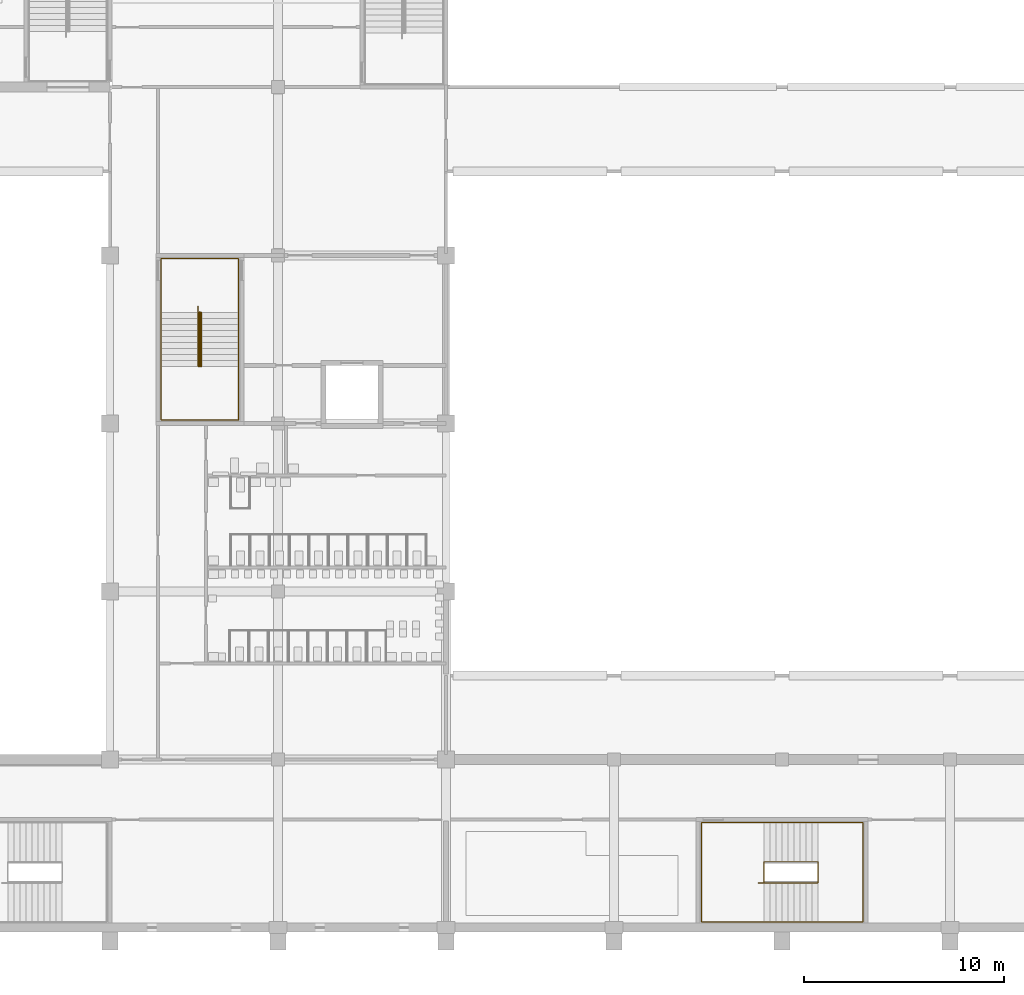
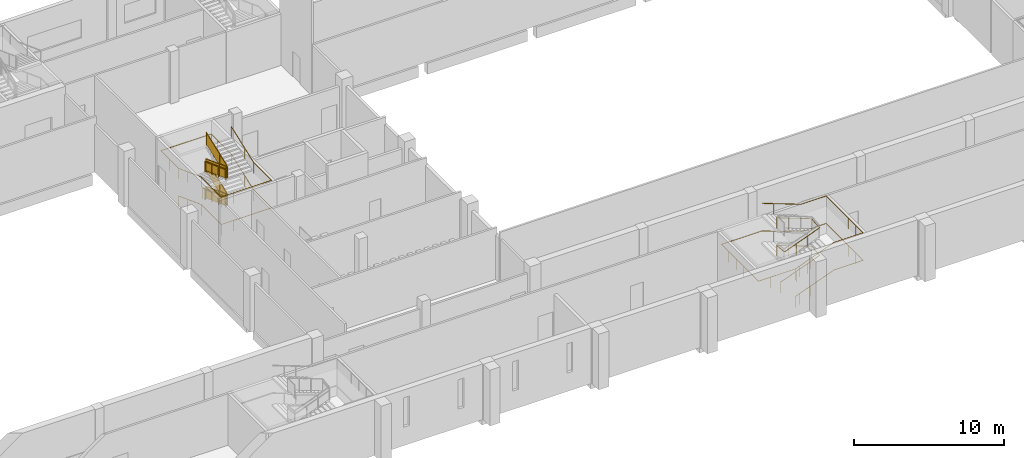
# One storey, part 52 of 64: 8 railings.
"""IFC4 building model written with IfcOpenShell, lengths in metres."""

from ifc_helpers import new_model, si_unit, direction, frame, origin, origin_2d, place, context, subcontext, project, spatial, polyline, circle, outline, extrude, material, type_object, element, save


model = new_model("IFC4")

# Units and contexts
model_context = context("Model", 3, precision=1e-05, world=origin(), true_north=direction((0.0, 1.0)))
body_context = subcontext(model_context, "Body", "Model", "MODEL_VIEW")
ifc_project = project(units=[si_unit("LENGTHUNIT", "METRE"), si_unit("AREAUNIT", "SQUARE_METRE"), si_unit("VOLUMEUNIT", "CUBIC_METRE"), si_unit("PLANEANGLEUNIT", "RADIAN"), si_unit("MASSUNIT", "GRAM", prefix="KILO")], contexts=[model_context])

# Site, building, storey
site_placement = place(None, origin())
site = spatial("IfcSite", under=ifc_project, at=site_placement, CompositionType="ELEMENT")
building_placement = place(site_placement, origin())
building = spatial("IfcBuilding", under=site, at=building_placement, Name="Rulbaag Community and Learning Centre", CompositionType="ELEMENT")
storey_placement = place(building_placement, frame((0.0, 0.0, 5.39990234375)))
storey = spatial("IfcBuildingStorey", under=building, at=storey_placement, Name="L01", CompositionType="ELEMENT", Elevation=5.39990234375)

# Railings
ifc_material_1 = material(Name="Galvanised mild steel", Category="steel")
railing_type_1 = type_object("IfcRailingType", Name="GR-1100 GUARD 1100", PredefinedType="GUARDRAIL", material=ifc_material_1)
railing_1_placement = place(storey_placement, frame((29.679931640625, 30.75, 0.112548828125)))
element("IfcRailing", 1, at=railing_1_placement, inside=storey, type_object=railing_type_1, Name="Guard SH1 L01 G", PredefinedType="GUARDRAIL", context=body_context, shape_type="SweptSolid", body=[
    extrude(circle(Radius=0.02490234375, at=origin_2d()), frame((0.0, 0.0, 1.0751953125), z_axis=(0.0, -0.93633265699, 0.351114162993), x_axis=(1.0, 0.0, 0.0)), (0.0, 0.0, 1.0), 2.883544921875),
    extrude(circle(Radius=0.02001953125, at=origin_2d()), origin(), (0.0, 0.0, 1.0), 1.050048828125),
    extrude(circle(Radius=0.02001953125, at=origin_2d()), frame((0.0, -0.89990234375, 0.33740234375)), (0.0, 0.0, 1.0), 1.050048828125),
    extrude(circle(Radius=0.02001953125, at=origin_2d()), frame((0.0, -1.800048828125, 0.675048828125)), (0.0, 0.0, 1.0), 1.050048828125),
    extrude(circle(Radius=0.02001953125, at=origin_2d()), frame((0.0, -2.699951171875, 1.012451171875)), (0.0, 0.0, 1.0), 1.050048828125),
    extrude(outline(polyline([(0.0, 0.0), (2.699951171875, 1.012451171875), (2.699951171875, 1.96240234375), (0.0, 0.949951171875), (0.0, 0.0)])), frame((0.0048828125, 0.0, 0.10009765625), z_axis=(-1.0, 0.0, 0.0), x_axis=(0.0, -1.0, 0.0)), (0.0, 0.0, 1.0), 0.010009765625),
])
railing_2_placement = place(storey_placement, frame((29.719970703125, 28.050048828125, 1.237548828125)))
element("IfcRailing", 2, at=railing_2_placement, inside=storey, type_object=railing_type_1, Name="Guard SH1 L01 G2", PredefinedType="GUARDRAIL", context=body_context, shape_type="SweptSolid", body=[
    extrude(circle(Radius=0.02490234375, at=origin_2d()), frame((0.0, 0.0, 1.0751953125), z_axis=(0.0, 0.93633265699, 0.351114162993), x_axis=(-1.0, 0.0, 0.0)), (0.0, 0.0, 1.0), 2.883544921875),
    extrude(circle(Radius=0.02001953125, at=origin_2d()), origin(), (0.0, 0.0, 1.0), 1.050048828125),
    extrude(circle(Radius=0.02001953125, at=origin_2d()), frame((0.0, 0.89990234375, 0.33740234375)), (0.0, 0.0, 1.0), 1.050048828125),
    extrude(circle(Radius=0.02001953125, at=origin_2d()), frame((0.0, 1.800048828125, 0.675048828125)), (0.0, 0.0, 1.0), 1.050048828125),
    extrude(circle(Radius=0.02001953125, at=origin_2d()), frame((0.0, 2.699951171875, 1.012451171875)), (0.0, 0.0, 1.0), 1.050048828125),
    extrude(outline(polyline([(0.0, 0.0), (2.699951171875, 1.012451171875), (2.699951171875, 1.96240234375), (0.0, 0.949951171875), (0.0, 0.0)])), frame((-0.0048828125, 0.0, 0.10009765625), z_axis=(1.0, 0.0, 0.0), x_axis=(0.0, 1.0, 0.0)), (0.0, 0.0, 1.0), 0.010009765625),
])
railing_3_placement = place(storey_placement, frame((29.679931640625, 30.75, 2.362548828125)))
element("IfcRailing", 3, at=railing_3_placement, inside=storey, type_object=railing_type_1, Name="Guard SH1 L01 G3", PredefinedType="GUARDRAIL", context=body_context, shape_type="SweptSolid", body=[
    extrude(circle(Radius=0.02490234375, at=origin_2d()), frame((0.0, 0.0, 1.0751953125), z_axis=(0.0, -0.93633265699, 0.351114162993), x_axis=(1.0, 0.0, 0.0)), (0.0, 0.0, 1.0), 2.883544921875),
    extrude(circle(Radius=0.02001953125, at=origin_2d()), origin(), (0.0, 0.0, 1.0), 1.050048828125),
    extrude(circle(Radius=0.02001953125, at=origin_2d()), frame((0.0, -0.89990234375, 0.33740234375)), (0.0, 0.0, 1.0), 1.050048828125),
    extrude(circle(Radius=0.02001953125, at=origin_2d()), frame((0.0, -1.800048828125, 0.675048828125)), (0.0, 0.0, 1.0), 1.050048828125),
    extrude(circle(Radius=0.02001953125, at=origin_2d()), frame((0.0, -2.699951171875, 1.012451171875)), (0.0, 0.0, 1.0), 1.050048828125),
    extrude(outline(polyline([(0.0, 0.0), (2.699951171875, 1.012451171875), (2.699951171875, 1.96240234375), (0.0, 0.949951171875), (0.0, 0.0)])), frame((0.0048828125, 0.0, 0.10009765625), z_axis=(-1.0, 0.0, 0.0), x_axis=(0.0, -1.0, 0.0)), (0.0, 0.0, 1.0), 0.010009765625),
])
railing_4_placement = place(storey_placement, frame((29.719970703125, 28.050048828125, 3.487548828125)))
element("IfcRailing", 4, at=railing_4_placement, inside=storey, type_object=railing_type_1, Name="Guard SH1 L01 G4", PredefinedType="GUARDRAIL", context=body_context, shape_type="SweptSolid", body=[
    extrude(circle(Radius=0.02490234375, at=origin_2d()), frame((0.0, 0.0, 1.0751953125), z_axis=(0.0, 0.93633265699, 0.351114162993), x_axis=(-1.0, 0.0, 0.0)), (0.0, 0.0, 1.0), 2.883544921875),
    extrude(circle(Radius=0.02001953125, at=origin_2d()), origin(), (0.0, 0.0, 1.0), 1.050048828125),
    extrude(circle(Radius=0.02001953125, at=origin_2d()), frame((0.0, 0.89990234375, 0.33740234375)), (0.0, 0.0, 1.0), 1.050048828125),
    extrude(circle(Radius=0.02001953125, at=origin_2d()), frame((0.0, 1.800048828125, 0.675048828125)), (0.0, 0.0, 1.0), 1.050048828125),
    extrude(circle(Radius=0.02001953125, at=origin_2d()), frame((0.0, 2.699951171875, 1.012451171875)), (0.0, 0.0, 1.0), 1.050048828125),
    extrude(outline(polyline([(0.0, 0.0), (2.699951171875, 1.012451171875), (2.699951171875, 1.96240234375), (0.0, 0.949951171875), (0.0, 0.0)])), frame((-0.0048828125, 0.0, 0.10009765625), z_axis=(1.0, 0.0, 0.0), x_axis=(0.0, 1.0, 0.0)), (0.0, 0.0, 1.0), 0.010009765625),
])
ifc_material_2 = material(Name="Stainless steel grade 316", Category="steel")
railing_type_2 = type_object("IfcRailingType", Name="HR-900 HANDRAIL 900", PredefinedType="HANDRAIL", material=ifc_material_2)
railing_5_placement = place(storey_placement, frame((27.760009765625, 31.050048828125, 0.0)))
element("IfcRailing", 5, at=railing_5_placement, inside=storey, type_object=railing_type_2, Name="Handrail SH1 L01 O", PredefinedType="HANDRAIL", context=body_context, shape_type="SweptSolid", body=[
    extrude(circle(Radius=0.024169921875, at=origin_2d()), frame((0.0, 0.0, 0.875732421875), z_axis=(0.0, -0.936297865471, 0.351206929196), x_axis=(1.0, 0.0, 0.0)), (0.0, 0.0, 1.0), 0.320556640625),
    extrude(circle(Radius=0.024169921875, at=origin_2d()), frame((0.0, -0.300048828125, 0.98828125), z_axis=(0.0, -0.93633265699, 0.351114162993), x_axis=(1.0, 0.0, 0.0)), (0.0, 0.0, 1.0), 2.883544921875),
    extrude(circle(Radius=0.024169921875, at=origin_2d()), frame((0.0, -3.0, 2.000732421875), z_axis=(0.0, -1.0, 0.0), x_axis=(1.0, 0.0, 0.0)), (0.0, 0.0, 1.0), 2.68994140625),
    extrude(circle(Radius=0.024169921875, at=origin_2d()), frame((0.0, -5.68994140625, 2.000732421875), z_axis=(1.0, 0.0, 0.0), x_axis=(0.0, 1.0, 0.0)), (0.0, 0.0, 1.0), 3.8798828125),
    extrude(circle(Radius=0.024169921875, at=origin_2d()), frame((3.8798828125, -5.68994140625, 2.000732421875), z_axis=(0.0, 1.0, 0.0), x_axis=(-1.0, 0.0, 0.0)), (0.0, 0.0, 1.0), 2.389892578125),
    extrude(circle(Radius=0.024169921875, at=origin_2d()), frame((3.8798828125, -3.300048828125, 2.000732421875), z_axis=(0.0, 0.936297865471, 0.351206929196), x_axis=(-1.0, 0.0, 0.0)), (0.0, 0.0, 1.0), 0.320556640625),
    extrude(circle(Radius=0.024169921875, at=origin_2d()), frame((3.8798828125, -3.0, 2.11328125), z_axis=(0.0, 0.93633265699, 0.351114162993), x_axis=(-1.0, 0.0, 0.0)), (0.0, 0.0, 1.0), 2.883544921875),
    extrude(circle(Radius=0.024169921875, at=origin_2d()), frame((3.8798828125, -0.300048828125, 3.125732421875), z_axis=(0.0, 1.0, 0.0), x_axis=(-1.0, 0.0, 0.0)), (0.0, 0.0, 1.0), 2.68994140625),
    extrude(circle(Radius=0.024169921875, at=origin_2d()), frame((3.8798828125, 2.389892578125, 3.125732421875), z_axis=(-1.0, 0.0, 0.0), x_axis=(0.0, -1.0, 0.0)), (0.0, 0.0, 1.0), 3.8798828125),
    extrude(circle(Radius=0.024169921875, at=origin_2d()), frame((0.0, 2.389892578125, 3.125732421875), z_axis=(0.0, -1.0, 0.0), x_axis=(1.0, 0.0, 0.0)), (0.0, 0.0, 1.0), 2.389892578125),
    extrude(circle(Radius=0.024169921875, at=origin_2d()), frame((0.0, 0.0, 3.125732421875), z_axis=(0.0, -0.936297865471, 0.351206929196), x_axis=(1.0, 0.0, 0.0)), (0.0, 0.0, 1.0), 0.320556640625),
    extrude(circle(Radius=0.024169921875, at=origin_2d()), frame((0.0, -0.300048828125, 3.23828125), z_axis=(0.0, -0.93633265699, 0.351114162993), x_axis=(1.0, 0.0, 0.0)), (0.0, 0.0, 1.0), 2.883544921875),
    extrude(circle(Radius=0.024169921875, at=origin_2d()), frame((0.0, -3.0, 4.250732421875), z_axis=(0.0, -1.0, 0.0), x_axis=(1.0, 0.0, 0.0)), (0.0, 0.0, 1.0), 2.68994140625),
    extrude(circle(Radius=0.024169921875, at=origin_2d()), frame((0.0, -5.68994140625, 4.250732421875), z_axis=(1.0, 0.0, 0.0), x_axis=(0.0, 1.0, 0.0)), (0.0, 0.0, 1.0), 3.8798828125),
    extrude(circle(Radius=0.024169921875, at=origin_2d()), frame((3.8798828125, -5.68994140625, 4.250732421875), z_axis=(0.0, 1.0, 0.0), x_axis=(-1.0, 0.0, 0.0)), (0.0, 0.0, 1.0), 2.389892578125),
    extrude(circle(Radius=0.024169921875, at=origin_2d()), frame((3.8798828125, -3.300048828125, 4.250732421875), z_axis=(0.0, 0.936297865471, 0.351206929196), x_axis=(-1.0, 0.0, 0.0)), (0.0, 0.0, 1.0), 0.320556640625),
    extrude(circle(Radius=0.024169921875, at=origin_2d()), frame((3.8798828125, -3.0, 4.36328125), z_axis=(0.0, 0.93633265699, 0.351114162993), x_axis=(-1.0, 0.0, 0.0)), (0.0, 0.0, 1.0), 2.883544921875),
    extrude(circle(Radius=0.008056640625, at=origin_2d()), origin(), (0.0, 0.0, 1.0), 0.8515625),
    extrude(circle(Radius=0.008056640625, at=origin_2d()), frame((0.0, -0.300048828125, 0.112548828125)), (0.0, 0.0, 1.0), 0.8515625),
    extrude(circle(Radius=0.008056640625, at=origin_2d()), frame((0.0, -1.199951171875, 0.449951171875)), (0.0, 0.0, 1.0), 0.8515625),
    extrude(circle(Radius=0.008056640625, at=origin_2d()), frame((0.0, -2.10009765625, 0.78759765625)), (0.0, 0.0, 1.0), 0.8515625),
    extrude(circle(Radius=0.008056640625, at=origin_2d()), frame((0.0, -3.0, 1.125)), (0.0, 0.0, 1.0), 0.8515625),
    extrude(circle(Radius=0.008056640625, at=origin_2d()), frame((0.0, -3.896728515625, 1.125)), (0.0, 0.0, 1.0), 0.8515625),
    extrude(circle(Radius=0.008056640625, at=origin_2d()), frame((0.0, -4.793212890625, 1.125)), (0.0, 0.0, 1.0), 0.8515625),
    extrude(circle(Radius=0.008056640625, at=origin_2d()), frame((0.0, -5.68994140625, 1.125)), (0.0, 0.0, 1.0), 0.8515625),
    extrude(circle(Radius=0.008056640625, at=origin_2d()), frame((0.969970703125, -5.68994140625, 1.125)), (0.0, 0.0, 1.0), 0.8515625),
    extrude(circle(Radius=0.008056640625, at=origin_2d()), frame((1.93994140625, -5.68994140625, 1.125)), (0.0, 0.0, 1.0), 0.8515625),
    extrude(circle(Radius=0.008056640625, at=origin_2d()), frame((2.909912109375, -5.68994140625, 1.125)), (0.0, 0.0, 1.0), 0.8515625),
    extrude(circle(Radius=0.008056640625, at=origin_2d()), frame((3.8798828125, -5.68994140625, 1.125)), (0.0, 0.0, 1.0), 0.8515625),
    extrude(circle(Radius=0.008056640625, at=origin_2d()), frame((3.8798828125, -4.4951171875, 1.125)), (0.0, 0.0, 1.0), 0.8515625),
    extrude(circle(Radius=0.008056640625, at=origin_2d()), frame((3.8798828125, -3.300048828125, 1.125)), (0.0, 0.0, 1.0), 0.8515625),
    extrude(circle(Radius=0.008056640625, at=origin_2d()), frame((3.8798828125, -3.0, 1.237548828125)), (0.0, 0.0, 1.0), 0.8515625),
    extrude(circle(Radius=0.008056640625, at=origin_2d()), frame((3.8798828125, -2.10009765625, 1.574951171875)), (0.0, 0.0, 1.0), 0.8515625),
    extrude(circle(Radius=0.008056640625, at=origin_2d()), frame((3.8798828125, -1.199951171875, 1.91259765625)), (0.0, 0.0, 1.0), 0.8515625),
    extrude(circle(Radius=0.008056640625, at=origin_2d()), frame((3.8798828125, -0.300048828125, 2.25)), (0.0, 0.0, 1.0), 0.8515625),
    extrude(circle(Radius=0.008056640625, at=origin_2d()), frame((3.8798828125, 0.5966796875, 2.25)), (0.0, 0.0, 1.0), 0.8515625),
    extrude(circle(Radius=0.008056640625, at=origin_2d()), frame((3.8798828125, 1.4931640625, 2.25)), (0.0, 0.0, 1.0), 0.8515625),
    extrude(circle(Radius=0.008056640625, at=origin_2d()), frame((3.8798828125, 2.389892578125, 2.25)), (0.0, 0.0, 1.0), 0.8515625),
    extrude(circle(Radius=0.008056640625, at=origin_2d()), frame((2.909912109375, 2.389892578125, 2.25)), (0.0, 0.0, 1.0), 0.8515625),
    extrude(circle(Radius=0.008056640625, at=origin_2d()), frame((1.93994140625, 2.389892578125, 2.25)), (0.0, 0.0, 1.0), 0.8515625),
    extrude(circle(Radius=0.008056640625, at=origin_2d()), frame((0.969970703125, 2.389892578125, 2.25)), (0.0, 0.0, 1.0), 0.8515625),
    extrude(circle(Radius=0.008056640625, at=origin_2d()), frame((0.0, 2.389892578125, 2.25)), (0.0, 0.0, 1.0), 0.8515625),
    extrude(circle(Radius=0.008056640625, at=origin_2d()), frame((0.0, 1.19482421875, 2.25)), (0.0, 0.0, 1.0), 0.8515625),
    extrude(circle(Radius=0.008056640625, at=origin_2d()), frame((0.0, 0.0, 2.25)), (0.0, 0.0, 1.0), 0.8515625),
    extrude(circle(Radius=0.008056640625, at=origin_2d()), frame((0.0, -0.300048828125, 2.362548828125)), (0.0, 0.0, 1.0), 0.8515625),
    extrude(circle(Radius=0.008056640625, at=origin_2d()), frame((0.0, -1.199951171875, 2.699951171875)), (0.0, 0.0, 1.0), 0.8515625),
    extrude(circle(Radius=0.008056640625, at=origin_2d()), frame((0.0, -2.10009765625, 3.03759765625)), (0.0, 0.0, 1.0), 0.8515625),
    extrude(circle(Radius=0.008056640625, at=origin_2d()), frame((0.0, -3.0, 3.375)), (0.0, 0.0, 1.0), 0.8515625),
    extrude(circle(Radius=0.008056640625, at=origin_2d()), frame((0.0, -3.896728515625, 3.375)), (0.0, 0.0, 1.0), 0.8515625),
    extrude(circle(Radius=0.008056640625, at=origin_2d()), frame((0.0, -4.793212890625, 3.375)), (0.0, 0.0, 1.0), 0.8515625),
    extrude(circle(Radius=0.008056640625, at=origin_2d()), frame((0.0, -5.68994140625, 3.375)), (0.0, 0.0, 1.0), 0.8515625),
    extrude(circle(Radius=0.008056640625, at=origin_2d()), frame((0.969970703125, -5.68994140625, 3.375)), (0.0, 0.0, 1.0), 0.8515625),
    extrude(circle(Radius=0.008056640625, at=origin_2d()), frame((1.93994140625, -5.68994140625, 3.375)), (0.0, 0.0, 1.0), 0.8515625),
    extrude(circle(Radius=0.008056640625, at=origin_2d()), frame((2.909912109375, -5.68994140625, 3.375)), (0.0, 0.0, 1.0), 0.8515625),
    extrude(circle(Radius=0.008056640625, at=origin_2d()), frame((3.8798828125, -5.68994140625, 3.375)), (0.0, 0.0, 1.0), 0.8515625),
    extrude(circle(Radius=0.008056640625, at=origin_2d()), frame((3.8798828125, -4.4951171875, 3.375)), (0.0, 0.0, 1.0), 0.8515625),
    extrude(circle(Radius=0.008056640625, at=origin_2d()), frame((3.8798828125, -3.300048828125, 3.375)), (0.0, 0.0, 1.0), 0.8515625),
    extrude(circle(Radius=0.008056640625, at=origin_2d()), frame((3.8798828125, -3.0, 3.487548828125)), (0.0, 0.0, 1.0), 0.8515625),
    extrude(circle(Radius=0.008056640625, at=origin_2d()), frame((3.8798828125, -2.10009765625, 3.824951171875)), (0.0, 0.0, 1.0), 0.8515625),
    extrude(circle(Radius=0.008056640625, at=origin_2d()), frame((3.8798828125, -1.199951171875, 4.16259765625)), (0.0, 0.0, 1.0), 0.8515625),
    extrude(circle(Radius=0.008056640625, at=origin_2d()), frame((3.8798828125, -0.300048828125, 4.5)), (0.0, 0.0, 1.0), 0.8515625),
])
railing_6_placement = place(storey_placement, frame((29.610107421875, 31.050048828125, 0.0)))
element("IfcRailing", 6, at=railing_6_placement, inside=storey, type_object=railing_type_2, Name="Handrail SH1 L01 I", PredefinedType="HANDRAIL", context=body_context, shape_type="SweptSolid", body=[
    extrude(circle(Radius=0.024169921875, at=origin_2d()), frame((0.0, 0.0, 0.875732421875), z_axis=(0.0, -0.936297865471, 0.351206929196), x_axis=(1.0, 0.0, 0.0)), (0.0, 0.0, 1.0), 0.320556640625),
    extrude(circle(Radius=0.024169921875, at=origin_2d()), frame((0.0, -0.300048828125, 0.98828125), z_axis=(0.0, -0.93633265699, 0.351114162993), x_axis=(1.0, 0.0, 0.0)), (0.0, 0.0, 1.0), 2.883544921875),
    extrude(circle(Radius=0.024169921875, at=origin_2d()), frame((0.0, -3.0, 2.000732421875), z_axis=(0.847804368873, 0.0, 0.530309109973), x_axis=(0.0, 1.0, 0.0)), (0.0, 0.0, 1.0), 0.212158203125),
    extrude(circle(Radius=0.024169921875, at=origin_2d()), frame((0.179931640625, -3.0, 2.11328125), z_axis=(0.0, 0.93633265699, 0.351114162993), x_axis=(-1.0, 0.0, 0.0)), (0.0, 0.0, 1.0), 2.883544921875),
    extrude(circle(Radius=0.024169921875, at=origin_2d()), frame((0.179931640625, -0.300048828125, 3.125732421875), z_axis=(-0.847804368873, 0.0, 0.530309109973), x_axis=(0.0, -1.0, 0.0)), (0.0, 0.0, 1.0), 0.212158203125),
    extrude(circle(Radius=0.024169921875, at=origin_2d()), frame((0.0, -0.300048828125, 3.23828125), z_axis=(0.0, -0.93633265699, 0.351114162993), x_axis=(1.0, 0.0, 0.0)), (0.0, 0.0, 1.0), 2.883544921875),
    extrude(circle(Radius=0.024169921875, at=origin_2d()), frame((0.0, -3.0, 4.250732421875), z_axis=(0.847804368873, 0.0, 0.530309109973), x_axis=(0.0, 1.0, 0.0)), (0.0, 0.0, 1.0), 0.212158203125),
    extrude(circle(Radius=0.024169921875, at=origin_2d()), frame((0.179931640625, -3.0, 4.36328125), z_axis=(0.0, 0.93633265699, 0.351114162993), x_axis=(-1.0, 0.0, 0.0)), (0.0, 0.0, 1.0), 2.883544921875),
    extrude(circle(Radius=0.008056640625, at=origin_2d()), origin(), (0.0, 0.0, 1.0), 0.8515625),
    extrude(circle(Radius=0.008056640625, at=origin_2d()), frame((0.0, -0.300048828125, 0.112548828125)), (0.0, 0.0, 1.0), 0.8515625),
    extrude(circle(Radius=0.008056640625, at=origin_2d()), frame((0.0, -1.199951171875, 0.449951171875)), (0.0, 0.0, 1.0), 0.8515625),
    extrude(circle(Radius=0.008056640625, at=origin_2d()), frame((0.0, -2.10009765625, 0.78759765625)), (0.0, 0.0, 1.0), 0.8515625),
    extrude(circle(Radius=0.008056640625, at=origin_2d()), frame((0.0, -3.0, 1.125)), (0.0, 0.0, 1.0), 0.8515625),
    extrude(circle(Radius=0.008056640625, at=origin_2d()), frame((0.179931640625, -3.0, 1.237548828125)), (0.0, 0.0, 1.0), 0.8515625),
    extrude(circle(Radius=0.008056640625, at=origin_2d()), frame((0.179931640625, -2.10009765625, 1.574951171875)), (0.0, 0.0, 1.0), 0.8515625),
    extrude(circle(Radius=0.008056640625, at=origin_2d()), frame((0.179931640625, -1.199951171875, 1.91259765625)), (0.0, 0.0, 1.0), 0.8515625),
    extrude(circle(Radius=0.008056640625, at=origin_2d()), frame((0.179931640625, -0.300048828125, 2.25)), (0.0, 0.0, 1.0), 0.8515625),
    extrude(circle(Radius=0.008056640625, at=origin_2d()), frame((0.0, -0.300048828125, 2.362548828125)), (0.0, 0.0, 1.0), 0.8515625),
    extrude(circle(Radius=0.008056640625, at=origin_2d()), frame((0.0, -1.199951171875, 2.699951171875)), (0.0, 0.0, 1.0), 0.8515625),
    extrude(circle(Radius=0.008056640625, at=origin_2d()), frame((0.0, -2.10009765625, 3.03759765625)), (0.0, 0.0, 1.0), 0.8515625),
    extrude(circle(Radius=0.008056640625, at=origin_2d()), frame((0.0, -3.0, 3.375)), (0.0, 0.0, 1.0), 0.8515625),
    extrude(circle(Radius=0.008056640625, at=origin_2d()), frame((0.179931640625, -3.0, 3.487548828125)), (0.0, 0.0, 1.0), 0.8515625),
    extrude(circle(Radius=0.008056640625, at=origin_2d()), frame((0.179931640625, -2.10009765625, 3.824951171875)), (0.0, 0.0, 1.0), 0.8515625),
    extrude(circle(Radius=0.008056640625, at=origin_2d()), frame((0.179931640625, -1.199951171875, 4.16259765625)), (0.0, 0.0, 1.0), 0.8515625),
    extrude(circle(Radius=0.008056640625, at=origin_2d()), frame((0.179931640625, -0.300048828125, 4.5)), (0.0, 0.0, 1.0), 0.8515625),
])
railing_7_placement = place(storey_placement, frame((57.60009765625, 0.284912109375, 0.0)))
element("IfcRailing", 7, at=railing_7_placement, inside=storey, type_object=railing_type_2, Name="Handrail SH8 L01 O", PredefinedType="HANDRAIL", context=body_context, shape_type="SweptSolid", body=[
    extrude(circle(Radius=0.024169921875, at=origin_2d()), frame((0.0, 0.0, 0.875732421875), z_axis=(0.936203795034, 0.0, 0.351457613608), x_axis=(0.0, 1.0, 0.0)), (0.0, 0.0, 1.0), 0.3203125),
    extrude(circle(Radius=0.024169921875, at=origin_2d()), frame((0.2998046875, 0.0, 0.98828125), z_axis=(0.936343093598, 0.0, 0.351086329941), x_axis=(0.0, 1.0, 0.0)), (0.0, 0.0, 1.0), 2.8837890625),
    extrude(circle(Radius=0.024169921875, at=origin_2d()), frame((3.0, 0.0, 2.000732421875), z_axis=(1.0, 0.0, 0.0), x_axis=(0.0, 1.0, 0.0)), (0.0, 0.0, 1.0), 2.239990234375),
    extrude(circle(Radius=0.024169921875, at=origin_2d()), frame((5.239990234375, 0.0, 2.000732421875), z_axis=(0.0, 1.0, 0.0), x_axis=(-1.0, 0.0, 0.0)), (0.0, 0.0, 1.0), 4.955078125),
    extrude(circle(Radius=0.024169921875, at=origin_2d()), frame((5.239990234375, 4.955078125, 2.000732421875), z_axis=(-1.0, 0.0, 0.0), x_axis=(0.0, -1.0, 0.0)), (0.0, 0.0, 1.0), 1.940185546875),
    extrude(circle(Radius=0.024169921875, at=origin_2d()), frame((3.2998046875, 4.955078125, 2.000732421875), z_axis=(-0.936203795034, 0.0, 0.351457613608), x_axis=(0.0, -1.0, 0.0)), (0.0, 0.0, 1.0), 0.3203125),
    extrude(circle(Radius=0.024169921875, at=origin_2d()), frame((3.0, 4.955078125, 2.11328125), z_axis=(-0.936343093598, 0.0, 0.351086329941), x_axis=(0.0, -1.0, 0.0)), (0.0, 0.0, 1.0), 2.8837890625),
    extrude(circle(Radius=0.024169921875, at=origin_2d()), frame((0.2998046875, 4.955078125, 3.125732421875), z_axis=(-1.0, 0.0, 0.0), x_axis=(0.0, -1.0, 0.0)), (0.0, 0.0, 1.0), 3.139892578125),
    extrude(circle(Radius=0.024169921875, at=origin_2d()), frame((-2.840087890625, 4.955078125, 3.125732421875), z_axis=(0.0, -1.0, 0.0), x_axis=(1.0, 0.0, 0.0)), (0.0, 0.0, 1.0), 4.955078125),
    extrude(circle(Radius=0.024169921875, at=origin_2d()), frame((-2.840087890625, 0.0, 3.125732421875), z_axis=(1.0, 0.0, 0.0), x_axis=(0.0, 1.0, 0.0)), (0.0, 0.0, 1.0), 2.840087890625),
    extrude(circle(Radius=0.024169921875, at=origin_2d()), frame((0.0, 0.0, 3.125732421875), z_axis=(0.936203795034, 0.0, 0.351457613608), x_axis=(0.0, 1.0, 0.0)), (0.0, 0.0, 1.0), 0.3203125),
    extrude(circle(Radius=0.024169921875, at=origin_2d()), frame((0.2998046875, 0.0, 3.23828125), z_axis=(0.936343093598, 0.0, 0.351086329941), x_axis=(0.0, 1.0, 0.0)), (0.0, 0.0, 1.0), 2.8837890625),
    extrude(circle(Radius=0.024169921875, at=origin_2d()), frame((3.0, 0.0, 4.250732421875), z_axis=(1.0, 0.0, 0.0), x_axis=(0.0, 1.0, 0.0)), (0.0, 0.0, 1.0), 2.239990234375),
    extrude(circle(Radius=0.024169921875, at=origin_2d()), frame((5.239990234375, 0.0, 4.250732421875), z_axis=(0.0, 1.0, 0.0), x_axis=(-1.0, 0.0, 0.0)), (0.0, 0.0, 1.0), 4.955078125),
    extrude(circle(Radius=0.024169921875, at=origin_2d()), frame((5.239990234375, 4.955078125, 4.250732421875), z_axis=(-1.0, 0.0, 0.0), x_axis=(0.0, -1.0, 0.0)), (0.0, 0.0, 1.0), 1.940185546875),
    extrude(circle(Radius=0.024169921875, at=origin_2d()), frame((3.2998046875, 4.955078125, 4.250732421875), z_axis=(-0.936203795034, 0.0, 0.351457613608), x_axis=(0.0, -1.0, 0.0)), (0.0, 0.0, 1.0), 0.3203125),
    extrude(circle(Radius=0.024169921875, at=origin_2d()), frame((3.0, 4.955078125, 4.36328125), z_axis=(-0.936343093598, 0.0, 0.351086329941), x_axis=(0.0, -1.0, 0.0)), (0.0, 0.0, 1.0), 2.8837890625),
    extrude(circle(Radius=0.008056640625, at=origin_2d()), origin(), (0.0, 0.0, 1.0), 0.8515625),
    extrude(circle(Radius=0.008056640625, at=origin_2d()), frame((0.2998046875, 0.0, 0.112548828125)), (0.0, 0.0, 1.0), 0.8515625),
    extrude(circle(Radius=0.008056640625, at=origin_2d()), frame((1.199951171875, 0.0, 0.449951171875)), (0.0, 0.0, 1.0), 0.8515625),
    extrude(circle(Radius=0.008056640625, at=origin_2d()), frame((2.099853515625, 0.0, 0.78759765625)), (0.0, 0.0, 1.0), 0.8515625),
    extrude(circle(Radius=0.008056640625, at=origin_2d()), frame((3.0, 0.0, 1.125)), (0.0, 0.0, 1.0), 0.8515625),
    extrude(circle(Radius=0.008056640625, at=origin_2d()), frame((4.1201171875, 0.0, 1.125)), (0.0, 0.0, 1.0), 0.8515625),
    extrude(circle(Radius=0.008056640625, at=origin_2d()), frame((5.239990234375, 0.0, 1.125)), (0.0, 0.0, 1.0), 0.8515625),
    extrude(circle(Radius=0.008056640625, at=origin_2d()), frame((5.239990234375, 0.990966796875, 1.125)), (0.0, 0.0, 1.0), 0.8515625),
    extrude(circle(Radius=0.008056640625, at=origin_2d()), frame((5.239990234375, 1.98193359375, 1.125)), (0.0, 0.0, 1.0), 0.8515625),
    extrude(circle(Radius=0.008056640625, at=origin_2d()), frame((5.239990234375, 2.97314453125, 1.125)), (0.0, 0.0, 1.0), 0.8515625),
    extrude(circle(Radius=0.008056640625, at=origin_2d()), frame((5.239990234375, 3.964111328125, 1.125)), (0.0, 0.0, 1.0), 0.8515625),
    extrude(circle(Radius=0.008056640625, at=origin_2d()), frame((5.239990234375, 4.955078125, 1.125)), (0.0, 0.0, 1.0), 0.8515625),
    extrude(circle(Radius=0.008056640625, at=origin_2d()), frame((4.27001953125, 4.955078125, 1.125)), (0.0, 0.0, 1.0), 0.8515625),
    extrude(circle(Radius=0.008056640625, at=origin_2d()), frame((3.2998046875, 4.955078125, 1.125)), (0.0, 0.0, 1.0), 0.8515625),
    extrude(circle(Radius=0.008056640625, at=origin_2d()), frame((3.0, 4.955078125, 1.237548828125)), (0.0, 0.0, 1.0), 0.8515625),
    extrude(circle(Radius=0.008056640625, at=origin_2d()), frame((2.099853515625, 4.955078125, 1.574951171875)), (0.0, 0.0, 1.0), 0.8515625),
    extrude(circle(Radius=0.008056640625, at=origin_2d()), frame((1.199951171875, 4.955078125, 1.91259765625)), (0.0, 0.0, 1.0), 0.8515625),
    extrude(circle(Radius=0.008056640625, at=origin_2d()), frame((0.2998046875, 4.955078125, 2.25)), (0.0, 0.0, 1.0), 0.8515625),
    extrude(circle(Radius=0.008056640625, at=origin_2d()), frame((-0.746826171875, 4.955078125, 2.25)), (0.0, 0.0, 1.0), 0.8515625),
    extrude(circle(Radius=0.008056640625, at=origin_2d()), frame((-1.79345703125, 4.955078125, 2.25)), (0.0, 0.0, 1.0), 0.8515625),
    extrude(circle(Radius=0.008056640625, at=origin_2d()), frame((-2.840087890625, 4.955078125, 2.25)), (0.0, 0.0, 1.0), 0.8515625),
    extrude(circle(Radius=0.008056640625, at=origin_2d()), frame((-2.840087890625, 3.964111328125, 2.25)), (0.0, 0.0, 1.0), 0.8515625),
    extrude(circle(Radius=0.008056640625, at=origin_2d()), frame((-2.840087890625, 2.97314453125, 2.25)), (0.0, 0.0, 1.0), 0.8515625),
    extrude(circle(Radius=0.008056640625, at=origin_2d()), frame((-2.840087890625, 1.98193359375, 2.25)), (0.0, 0.0, 1.0), 0.8515625),
    extrude(circle(Radius=0.008056640625, at=origin_2d()), frame((-2.840087890625, 0.990966796875, 2.25)), (0.0, 0.0, 1.0), 0.8515625),
    extrude(circle(Radius=0.008056640625, at=origin_2d()), frame((-2.840087890625, 0.0, 2.25)), (0.0, 0.0, 1.0), 0.8515625),
    extrude(circle(Radius=0.008056640625, at=origin_2d()), frame((-1.893310546875, 0.0, 2.25)), (0.0, 0.0, 1.0), 0.8515625),
    extrude(circle(Radius=0.008056640625, at=origin_2d()), frame((-0.94677734375, 0.0, 2.25)), (0.0, 0.0, 1.0), 0.8515625),
    extrude(circle(Radius=0.008056640625, at=origin_2d()), frame((0.0, 0.0, 2.25)), (0.0, 0.0, 1.0), 0.8515625),
    extrude(circle(Radius=0.008056640625, at=origin_2d()), frame((0.2998046875, 0.0, 2.362548828125)), (0.0, 0.0, 1.0), 0.8515625),
    extrude(circle(Radius=0.008056640625, at=origin_2d()), frame((1.199951171875, 0.0, 2.699951171875)), (0.0, 0.0, 1.0), 0.8515625),
    extrude(circle(Radius=0.008056640625, at=origin_2d()), frame((2.099853515625, 0.0, 3.03759765625)), (0.0, 0.0, 1.0), 0.8515625),
    extrude(circle(Radius=0.008056640625, at=origin_2d()), frame((3.0, 0.0, 3.375)), (0.0, 0.0, 1.0), 0.8515625),
    extrude(circle(Radius=0.008056640625, at=origin_2d()), frame((4.1201171875, 0.0, 3.375)), (0.0, 0.0, 1.0), 0.8515625),
    extrude(circle(Radius=0.008056640625, at=origin_2d()), frame((5.239990234375, 0.0, 3.375)), (0.0, 0.0, 1.0), 0.8515625),
    extrude(circle(Radius=0.008056640625, at=origin_2d()), frame((5.239990234375, 0.990966796875, 3.375)), (0.0, 0.0, 1.0), 0.8515625),
    extrude(circle(Radius=0.008056640625, at=origin_2d()), frame((5.239990234375, 1.98193359375, 3.375)), (0.0, 0.0, 1.0), 0.8515625),
    extrude(circle(Radius=0.008056640625, at=origin_2d()), frame((5.239990234375, 2.97314453125, 3.375)), (0.0, 0.0, 1.0), 0.8515625),
    extrude(circle(Radius=0.008056640625, at=origin_2d()), frame((5.239990234375, 3.964111328125, 3.375)), (0.0, 0.0, 1.0), 0.8515625),
    extrude(circle(Radius=0.008056640625, at=origin_2d()), frame((5.239990234375, 4.955078125, 3.375)), (0.0, 0.0, 1.0), 0.8515625),
    extrude(circle(Radius=0.008056640625, at=origin_2d()), frame((4.27001953125, 4.955078125, 3.375)), (0.0, 0.0, 1.0), 0.8515625),
    extrude(circle(Radius=0.008056640625, at=origin_2d()), frame((3.2998046875, 4.955078125, 3.375)), (0.0, 0.0, 1.0), 0.8515625),
    extrude(circle(Radius=0.008056640625, at=origin_2d()), frame((3.0, 4.955078125, 3.487548828125)), (0.0, 0.0, 1.0), 0.8515625),
    extrude(circle(Radius=0.008056640625, at=origin_2d()), frame((2.099853515625, 4.955078125, 3.824951171875)), (0.0, 0.0, 1.0), 0.8515625),
    extrude(circle(Radius=0.008056640625, at=origin_2d()), frame((1.199951171875, 4.955078125, 4.16259765625)), (0.0, 0.0, 1.0), 0.8515625),
    extrude(circle(Radius=0.008056640625, at=origin_2d()), frame((0.2998046875, 4.955078125, 4.5)), (0.0, 0.0, 1.0), 0.8515625),
])
railing_8_placement = place(storey_placement, frame((57.60009765625, 2.235107421875, 0.0)))
element("IfcRailing", 8, at=railing_8_placement, inside=storey, type_object=railing_type_2, Name="Handrail SH8 L01 I", PredefinedType="HANDRAIL", context=body_context, shape_type="SweptSolid", body=[
    extrude(circle(Radius=0.024169921875, at=origin_2d()), frame((0.0, 0.0, 0.875732421875), z_axis=(0.936203795034, 0.0, 0.351457613608), x_axis=(0.0, 1.0, 0.0)), (0.0, 0.0, 1.0), 0.3203125),
    extrude(circle(Radius=0.024169921875, at=origin_2d()), frame((0.2998046875, 0.0, 0.98828125), z_axis=(0.936343093598, 0.0, 0.351086329941), x_axis=(0.0, 1.0, 0.0)), (0.0, 0.0, 1.0), 2.8837890625),
    extrude(circle(Radius=0.024169921875, at=origin_2d()), frame((3.0, 0.0, 2.000732421875), z_axis=(0.0, 0.994356935106, 0.106086217793), x_axis=(-1.0, 0.0, 0.0)), (0.0, 0.0, 1.0), 1.06103515625),
    extrude(circle(Radius=0.024169921875, at=origin_2d()), frame((3.0, 1.054931640625, 2.11328125), z_axis=(-0.936343093598, 0.0, 0.351086329941), x_axis=(0.0, -1.0, 0.0)), (0.0, 0.0, 1.0), 2.8837890625),
    extrude(circle(Radius=0.024169921875, at=origin_2d()), frame((0.2998046875, 1.054931640625, 3.125732421875), z_axis=(0.0, -0.994356935106, 0.106086217793), x_axis=(1.0, 0.0, 0.0)), (0.0, 0.0, 1.0), 1.06103515625),
    extrude(circle(Radius=0.024169921875, at=origin_2d()), frame((0.2998046875, 0.0, 3.23828125), z_axis=(0.936343093598, 0.0, 0.351086329941), x_axis=(0.0, 1.0, 0.0)), (0.0, 0.0, 1.0), 2.8837890625),
    extrude(circle(Radius=0.024169921875, at=origin_2d()), frame((3.0, 0.0, 4.250732421875), z_axis=(0.0, 0.994356935106, 0.106086217793), x_axis=(-1.0, 0.0, 0.0)), (0.0, 0.0, 1.0), 1.06103515625),
    extrude(circle(Radius=0.024169921875, at=origin_2d()), frame((3.0, 1.054931640625, 4.36328125), z_axis=(-0.936343093598, 0.0, 0.351086329941), x_axis=(0.0, -1.0, 0.0)), (0.0, 0.0, 1.0), 2.8837890625),
    extrude(circle(Radius=0.008056640625, at=origin_2d()), origin(), (0.0, 0.0, 1.0), 0.8515625),
    extrude(circle(Radius=0.008056640625, at=origin_2d()), frame((0.2998046875, 0.0, 0.112548828125)), (0.0, 0.0, 1.0), 0.8515625),
    extrude(circle(Radius=0.008056640625, at=origin_2d()), frame((1.199951171875, 0.0, 0.449951171875)), (0.0, 0.0, 1.0), 0.8515625),
    extrude(circle(Radius=0.008056640625, at=origin_2d()), frame((2.099853515625, 0.0, 0.78759765625)), (0.0, 0.0, 1.0), 0.8515625),
    extrude(circle(Radius=0.008056640625, at=origin_2d()), frame((3.0, 0.0, 1.125)), (0.0, 0.0, 1.0), 0.8515625),
    extrude(circle(Radius=0.008056640625, at=origin_2d()), frame((3.0, 1.054931640625, 1.237548828125)), (0.0, 0.0, 1.0), 0.8515625),
    extrude(circle(Radius=0.008056640625, at=origin_2d()), frame((2.099853515625, 1.054931640625, 1.574951171875)), (0.0, 0.0, 1.0), 0.8515625),
    extrude(circle(Radius=0.008056640625, at=origin_2d()), frame((1.199951171875, 1.054931640625, 1.91259765625)), (0.0, 0.0, 1.0), 0.8515625),
    extrude(circle(Radius=0.008056640625, at=origin_2d()), frame((0.2998046875, 1.054931640625, 2.25)), (0.0, 0.0, 1.0), 0.8515625),
    extrude(circle(Radius=0.008056640625, at=origin_2d()), frame((0.2998046875, 0.0, 2.362548828125)), (0.0, 0.0, 1.0), 0.8515625),
    extrude(circle(Radius=0.008056640625, at=origin_2d()), frame((1.199951171875, 0.0, 2.699951171875)), (0.0, 0.0, 1.0), 0.8515625),
    extrude(circle(Radius=0.008056640625, at=origin_2d()), frame((2.099853515625, 0.0, 3.03759765625)), (0.0, 0.0, 1.0), 0.8515625),
    extrude(circle(Radius=0.008056640625, at=origin_2d()), frame((3.0, 0.0, 3.375)), (0.0, 0.0, 1.0), 0.8515625),
    extrude(circle(Radius=0.008056640625, at=origin_2d()), frame((3.0, 1.054931640625, 3.487548828125)), (0.0, 0.0, 1.0), 0.8515625),
    extrude(circle(Radius=0.008056640625, at=origin_2d()), frame((2.099853515625, 1.054931640625, 3.824951171875)), (0.0, 0.0, 1.0), 0.8515625),
    extrude(circle(Radius=0.008056640625, at=origin_2d()), frame((1.199951171875, 1.054931640625, 4.16259765625)), (0.0, 0.0, 1.0), 0.8515625),
    extrude(circle(Radius=0.008056640625, at=origin_2d()), frame((0.2998046875, 1.054931640625, 4.5)), (0.0, 0.0, 1.0), 0.8515625),
])

save(model, "model.ifc")
